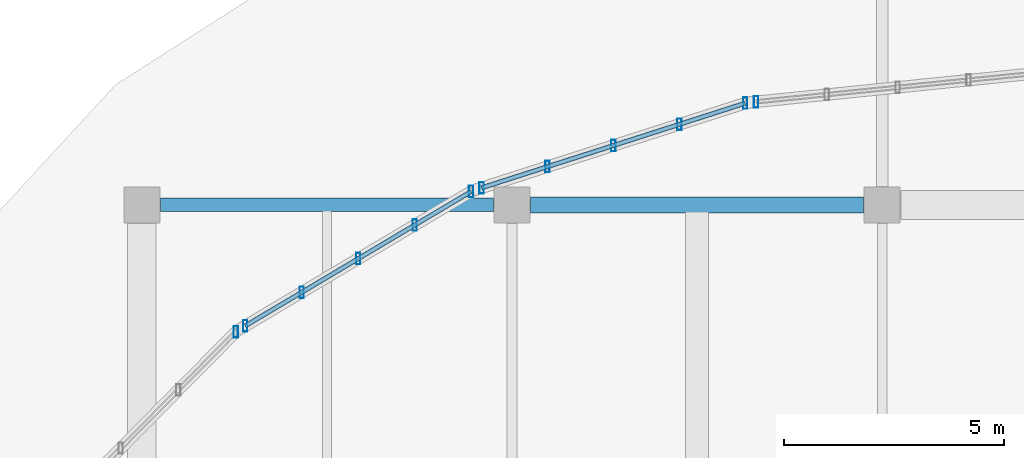
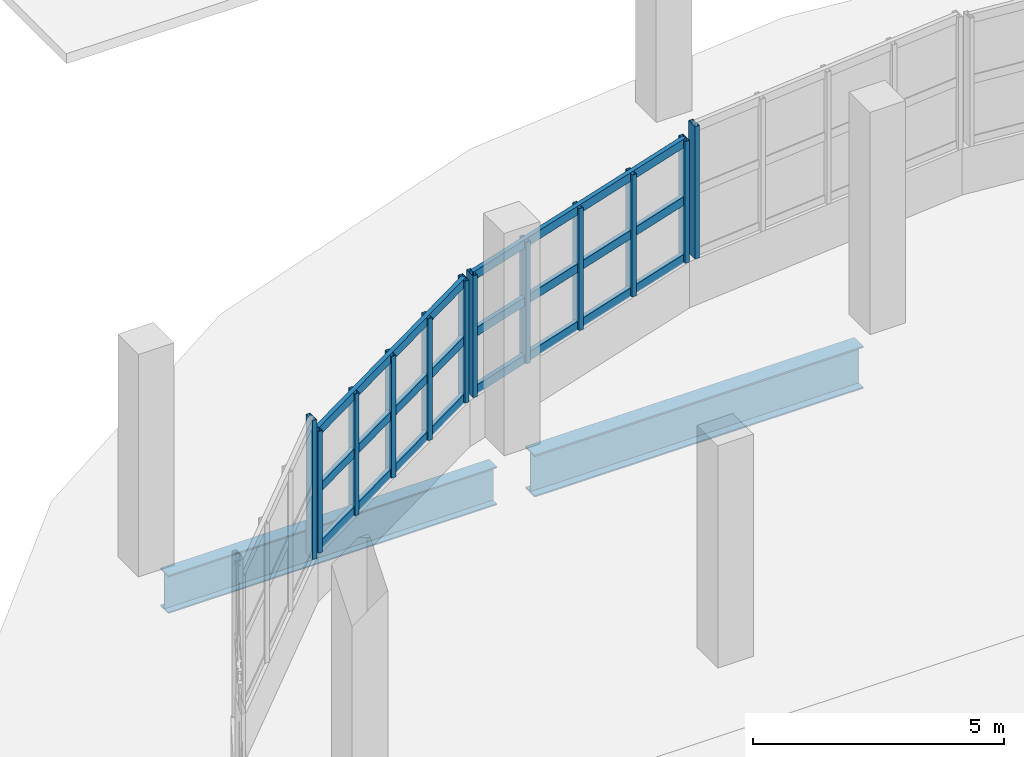
# One storey, part 11 of 107: 18 members, 2 beams, 4 elements without a shape of their own.
"""IFC4 building model written with IfcOpenShell, lengths in metres."""

from ifc_helpers import new_model, si_unit, direction, frame, origin, origin_2d, place, context, subcontext, project, spatial, hollow_rectangle, i_section, extrude, material, material_profile, profile_set, type_object, element, aggregate, save


model = new_model("IFC4")

# Units and contexts
model_context = context("Model", 3, precision=1e-05, world=origin(), true_north=direction((0.0, 1.0)))
body_context = subcontext(model_context, "Body", "Model", "MODEL_VIEW")
ifc_project = project(units=[si_unit("LENGTHUNIT", "METRE"), si_unit("AREAUNIT", "SQUARE_METRE"), si_unit("VOLUMEUNIT", "CUBIC_METRE"), si_unit("PLANEANGLEUNIT", "RADIAN"), si_unit("MASSUNIT", "GRAM", prefix="KILO")], contexts=[model_context])

# Site, building, storey
site_placement = place(None, origin())
site = spatial("IfcSite", under=ifc_project, at=site_placement, CompositionType="ELEMENT")
building_placement = place(site_placement, origin())
building = spatial("IfcBuilding", under=site, at=building_placement, Name="Solvento Point Concert Hall", CompositionType="ELEMENT")
storey_placement = place(building_placement, origin())
storey = spatial("IfcBuildingStorey", under=building, at=storey_placement, Name="L00", CompositionType="ELEMENT", Elevation=0.0)

# Beams
ifc_material_1 = material(Name="Structural Steel ASTM A992 Grade 50", Category="steel")
ifc_material_profile_1 = material_profile(ifc_material_1, i_section(OverallWidth=0.3076171875, OverallDepth=0.927001953125, WebThickness=0.019287109375, FlangeThickness=0.031982421875, at=origin_2d()), Name="W36X194")
ifc_profile_set_1 = profile_set([ifc_material_profile_1], Name="Structural Steel ASTM A992 Grade 50")
beam_type_1 = type_object("IfcBeamType", Name="Girder_W36X194", PredefinedType="USERDEFINED", material=ifc_profile_set_1)
beam_1_placement = place(storey_placement, frame((41.22412109375, 51.0, -0.87744140625), z_axis=(1.0, 0.0, 0.0), x_axis=(0.0, 1.0, 0.0)))
element("IfcBeam", 1, at=beam_1_placement, inside=storey, type_object=beam_type_1, Name="Primary girder B-61 L00", ObjectType="GIRDER", PredefinedType="USERDEFINED", context=body_context, shape_type="SweptSolid", body=[
    extrude(i_section(OverallWidth=0.3076171875, OverallDepth=0.927001953125, WebThickness=0.019287109375, FlangeThickness=0.031982421875, at=origin_2d()), origin(), (0.0, 0.0, 1.0), 7.5517578125),
])
ifc_material_2 = material(Name="Structural Steel ASTM A992 Grade 50", Category="steel")
ifc_material_profile_2 = material_profile(ifc_material_2, i_section(OverallWidth=0.361083984375, OverallDepth=1.02587890625, WebThickness=0.01904296875, FlangeThickness=0.0361328125, at=origin_2d()), Name="W40X249")
ifc_profile_set_2 = profile_set([ifc_material_profile_2], Name="Structural Steel ASTM A992 Grade 50")
beam_type_2 = type_object("IfcBeamType", Name="Girder_W40X249", PredefinedType="USERDEFINED", material=ifc_profile_set_2)
beam_2_placement = place(storey_placement, frame((49.6240234375, 51.0, -0.927001953125), z_axis=(1.0, 0.0, 0.0), x_axis=(0.0, 1.0, 0.0)))
element("IfcBeam", 2, at=beam_2_placement, inside=storey, type_object=beam_type_2, Name="Primary girder B-29 L00", ObjectType="GIRDER", PredefinedType="USERDEFINED", context=body_context, shape_type="SweptSolid", body=[
    extrude(i_section(OverallWidth=0.361083984375, OverallDepth=1.02587890625, WebThickness=0.01904296875, FlangeThickness=0.0361328125, at=origin_2d()), origin(), (0.0, 0.0, 1.0), 7.552001953125),
])

# Curtain wall, member
ifc_material_3 = material(Name="Anodized Bronze Aluminium", Category="aluminium")
curtain_wall_type = type_object("IfcCurtainWallType", Name="CurtainWall_FoyerL00", PredefinedType="USERDEFINED", material=ifc_material_3)
curtain_wall_1_placement = place(storey_placement, origin())
curtain_wall_1 = element("IfcCurtainWall", 3, at=curtain_wall_1_placement, inside=storey, type_object=curtain_wall_type, Name="Unitised curtain wall CW-29 UCW-L00-008", ObjectType="UNITISED CURTAIN WALL", PredefinedType="USERDEFINED")
ifc_material_4 = material(Name="Anodized Bronze Aluminium", Category="aluminium")
ifc_material_profile_3 = material_profile(ifc_material_4, hollow_rectangle(XDim=0.10009765625, YDim=0.260009765625, WallThickness=0.0048828125, at=origin_2d()), Name="CW-MUL-100X260")
ifc_profile_set_3 = profile_set([ifc_material_profile_3], Name="Anodized Bronze Aluminium")
member_type_1 = type_object("IfcMemberType", Name="Mullion_100x260", PredefinedType="MULLION", material=ifc_profile_set_3)
member_1_placement = place(storey_placement, frame((42.935546875, 48.120849609375, 1.1201171875), z_axis=(0.0, 0.0, 1.0), x_axis=(1.0, 0.0, 0.0)))
member_1 = element("IfcMember", 4, at=member_1_placement, type_object=member_type_1, Name="Curtain wall mullion ML-03", PredefinedType="MULLION", context=body_context, shape_type="SweptSolid", body=[
    extrude(hollow_rectangle(XDim=0.10009765625, YDim=0.260009765625, WallThickness=0.0048828125, at=origin_2d()), origin(), (0.0, 0.0, 1.0), 3.3759765625),
])
aggregate(curtain_wall_1, [member_1])

# Curtain wall, members
curtain_wall_2_placement = place(storey_placement, origin())
curtain_wall_2 = element("IfcCurtainWall", 5, at=curtain_wall_2_placement, inside=storey, type_object=curtain_wall_type, Name="Unitised curtain wall CW-29 UCW-L00-009", ObjectType="UNITISED CURTAIN WALL", PredefinedType="USERDEFINED")
member_2_placement = place(storey_placement, frame((43.145751953125, 48.254638671875, 1.1201171875), z_axis=(0.0, 0.0, 1.0), x_axis=(1.0, 0.0, 0.0)))
member_2 = element("IfcMember", 6, at=member_2_placement, type_object=member_type_1, Name="Curtain wall mullion ML-03", PredefinedType="MULLION", context=body_context, shape_type="SweptSolid", body=[
    extrude(hollow_rectangle(XDim=0.10009765625, YDim=0.260009765625, WallThickness=0.0048828125, at=origin_2d()), origin(), (0.0, 0.0, 1.0), 2.957763671875),
])
member_3_placement = place(storey_placement, frame((44.427734375, 49.01708984375, 1.1201171875), z_axis=(0.0, 0.0, 1.0), x_axis=(1.0, 0.0, 0.0)))
member_3 = element("IfcMember", 7, at=member_3_placement, type_object=member_type_1, Name="Curtain wall mullion ML-03", PredefinedType="MULLION", context=body_context, shape_type="SweptSolid", body=[
    extrude(hollow_rectangle(XDim=0.10009765625, YDim=0.260009765625, WallThickness=0.0048828125, at=origin_2d()), origin(), (0.0, 0.0, 1.0), 2.957763671875),
])
member_4_placement = place(storey_placement, frame((45.7099609375, 49.77978515625, 1.1201171875), z_axis=(0.0, 0.0, 1.0), x_axis=(1.0, 0.0, 0.0)))
member_4 = element("IfcMember", 8, at=member_4_placement, type_object=member_type_1, Name="Curtain wall mullion ML-03", PredefinedType="MULLION", context=body_context, shape_type="SweptSolid", body=[
    extrude(hollow_rectangle(XDim=0.10009765625, YDim=0.260009765625, WallThickness=0.0048828125, at=origin_2d()), origin(), (0.0, 0.0, 1.0), 2.957763671875),
])
member_5_placement = place(storey_placement, frame((46.9921875, 50.54248046875, 1.1201171875), z_axis=(0.0, 0.0, 1.0), x_axis=(1.0, 0.0, 0.0)))
member_5 = element("IfcMember", 9, at=member_5_placement, type_object=member_type_1, Name="Curtain wall mullion ML-03", PredefinedType="MULLION", context=body_context, shape_type="SweptSolid", body=[
    extrude(hollow_rectangle(XDim=0.10009765625, YDim=0.260009765625, WallThickness=0.0048828125, at=origin_2d()), origin(), (0.0, 0.0, 1.0), 2.957763671875),
])
member_6_placement = place(storey_placement, frame((48.274169921875, 51.30517578125, 1.1201171875), z_axis=(0.0, 0.0, 1.0), x_axis=(1.0, 0.0, 0.0)))
member_6 = element("IfcMember", 10, at=member_6_placement, type_object=member_type_1, Name="Curtain wall mullion ML-03", PredefinedType="MULLION", context=body_context, shape_type="SweptSolid", body=[
    extrude(hollow_rectangle(XDim=0.10009765625, YDim=0.260009765625, WallThickness=0.0048828125, at=origin_2d()), origin(), (0.0, 0.0, 1.0), 2.957763671875),
])

curtain_wall_3_placement = place(storey_placement, origin())
curtain_wall_3 = element("IfcCurtainWall", 11, at=curtain_wall_3_placement, inside=storey, type_object=curtain_wall_type, Name="Unitised curtain wall CW-29 UCW-L00-010", ObjectType="UNITISED CURTAIN WALL", PredefinedType="USERDEFINED")
member_7_placement = place(storey_placement, frame((48.509521484375, 51.3876953125, 1.1201171875), z_axis=(0.0, 0.0, 1.0), x_axis=(1.0, 0.0, 0.0)))
member_7 = element("IfcMember", 12, at=member_7_placement, type_object=member_type_1, Name="Curtain wall mullion ML-03", PredefinedType="MULLION", context=body_context, shape_type="SweptSolid", body=[
    extrude(hollow_rectangle(XDim=0.10009765625, YDim=0.260009765625, WallThickness=0.0048828125, at=origin_2d()), origin(), (0.0, 0.0, 1.0), 2.957763671875),
])
member_8_placement = place(storey_placement, frame((50.005615234375, 51.8681640625, 1.1201171875), z_axis=(0.0, 0.0, 1.0), x_axis=(1.0, 0.0, 0.0)))
member_8 = element("IfcMember", 13, at=member_8_placement, type_object=member_type_1, Name="Curtain wall mullion ML-03", PredefinedType="MULLION", context=body_context, shape_type="SweptSolid", body=[
    extrude(hollow_rectangle(XDim=0.10009765625, YDim=0.260009765625, WallThickness=0.0048828125, at=origin_2d()), origin(), (0.0, 0.0, 1.0), 2.957763671875),
])
member_9_placement = place(storey_placement, frame((51.501708984375, 52.348388671875, 1.1201171875), z_axis=(0.0, 0.0, 1.0), x_axis=(1.0, 0.0, 0.0)))
member_9 = element("IfcMember", 14, at=member_9_placement, type_object=member_type_1, Name="Curtain wall mullion ML-03", PredefinedType="MULLION", context=body_context, shape_type="SweptSolid", body=[
    extrude(hollow_rectangle(XDim=0.10009765625, YDim=0.260009765625, WallThickness=0.0048828125, at=origin_2d()), origin(), (0.0, 0.0, 1.0), 2.957763671875),
])
member_10_placement = place(storey_placement, frame((52.997802734375, 52.828857421875, 1.1201171875), z_axis=(0.0, 0.0, 1.0), x_axis=(1.0, 0.0, 0.0)))
member_10 = element("IfcMember", 15, at=member_10_placement, type_object=member_type_1, Name="Curtain wall mullion ML-03", PredefinedType="MULLION", context=body_context, shape_type="SweptSolid", body=[
    extrude(hollow_rectangle(XDim=0.10009765625, YDim=0.260009765625, WallThickness=0.0048828125, at=origin_2d()), origin(), (0.0, 0.0, 1.0), 2.957763671875),
])
member_11_placement = place(storey_placement, frame((54.493896484375, 53.309326171875, 1.1201171875), z_axis=(0.0, 0.0, 1.0), x_axis=(1.0, 0.0, 0.0)))
member_11 = element("IfcMember", 16, at=member_11_placement, type_object=member_type_1, Name="Curtain wall mullion ML-03", PredefinedType="MULLION", context=body_context, shape_type="SweptSolid", body=[
    extrude(hollow_rectangle(XDim=0.10009765625, YDim=0.260009765625, WallThickness=0.0048828125, at=origin_2d()), origin(), (0.0, 0.0, 1.0), 2.957763671875),
])

# Curtain wall, member
curtain_wall_4_placement = place(storey_placement, origin())
curtain_wall_4 = element("IfcCurtainWall", 17, at=curtain_wall_4_placement, inside=storey, type_object=curtain_wall_type, Name="Unitised curtain wall CW-29 UCW-L00-011", ObjectType="UNITISED CURTAIN WALL", PredefinedType="USERDEFINED")
member_12_placement = place(storey_placement, frame((54.741455078125, 53.3408203125, 1.1201171875), z_axis=(0.0, 0.0, 1.0), x_axis=(1.0, 0.0, 0.0)))
member_12 = element("IfcMember", 18, at=member_12_placement, type_object=member_type_1, Name="Curtain wall mullion ML-03", PredefinedType="MULLION", context=body_context, shape_type="SweptSolid", body=[
    extrude(hollow_rectangle(XDim=0.10009765625, YDim=0.260009765625, WallThickness=0.0048828125, at=origin_2d()), origin(), (0.0, 0.0, 1.0), 3.2138671875),
])
aggregate(curtain_wall_4, [member_12])

# Member
ifc_material_5 = material(Name="Anodized Bronze Aluminium", Category="aluminium")
ifc_material_profile_4 = material_profile(ifc_material_5, hollow_rectangle(XDim=0.10009765625, YDim=0.2099609375, WallThickness=0.0048828125, at=origin_2d()), Name="CW-TRN-100X210")
ifc_profile_set_4 = profile_set([ifc_material_profile_4], Name="Anodized Bronze Aluminium")
member_type_2 = type_object("IfcMemberType", Name="Transom_100x210", PredefinedType="USERDEFINED", material=ifc_profile_set_4)
member_13_placement = place(storey_placement, frame((43.145751953125, 48.254638671875, 1.199951171875), z_axis=(0.859446980685, 0.511224889253, 0.0), x_axis=(-0.511224889253, 0.859446980685, 0.0)))
member_13 = element("IfcMember", 19, at=member_13_placement, type_object=member_type_2, Name="Curtain wall transom TR-03", ObjectType="TRANSOM", PredefinedType="USERDEFINED", context=body_context, shape_type="SweptSolid", body=[
    extrude(hollow_rectangle(XDim=0.10009765625, YDim=0.2099609375, WallThickness=0.0048828125, at=origin_2d()), origin(), (0.0, 0.0, 1.0), 5.967041015625),
])

member_14_placement = place(storey_placement, frame((43.145751953125, 48.254638671875, 2.59912109375), z_axis=(0.859446980685, 0.511224889253, 0.0), x_axis=(-0.511224889253, 0.859446980685, 0.0)))
member_14 = element("IfcMember", 20, at=member_14_placement, type_object=member_type_2, Name="Curtain wall transom TR-03", ObjectType="TRANSOM", PredefinedType="USERDEFINED", context=body_context, shape_type="SweptSolid", body=[
    extrude(hollow_rectangle(XDim=0.10009765625, YDim=0.2099609375, WallThickness=0.0048828125, at=origin_2d()), origin(), (0.0, 0.0, 1.0), 5.967041015625),
])

member_15_placement = place(storey_placement, frame((43.145751953125, 48.254638671875, 3.998046875), z_axis=(0.859446980685, 0.511224889253, 0.0), x_axis=(-0.511224889253, 0.859446980685, 0.0)))
member_15 = element("IfcMember", 21, at=member_15_placement, type_object=member_type_2, Name="Curtain wall transom TR-03", ObjectType="TRANSOM", PredefinedType="USERDEFINED", context=body_context, shape_type="SweptSolid", body=[
    extrude(hollow_rectangle(XDim=0.10009765625, YDim=0.2099609375, WallThickness=0.0048828125, at=origin_2d()), origin(), (0.0, 0.0, 1.0), 5.967041015625),
])

aggregate(curtain_wall_2, [member_2, member_3, member_4, member_5, member_6, member_13, member_14, member_15])

member_16_placement = place(storey_placement, frame((48.509521484375, 51.3876953125, 1.199951171875), z_axis=(0.952117433196, 0.305732552084, 0.0), x_axis=(-0.305732552084, 0.952117433196, 0.0)))
member_16 = element("IfcMember", 22, at=member_16_placement, type_object=member_type_2, Name="Curtain wall transom TR-03", ObjectType="TRANSOM", PredefinedType="USERDEFINED", context=body_context, shape_type="SweptSolid", body=[
    extrude(hollow_rectangle(XDim=0.10009765625, YDim=0.2099609375, WallThickness=0.0048828125, at=origin_2d()), origin(), (0.0, 0.0, 1.0), 6.285400390625),
])

member_17_placement = place(storey_placement, frame((48.509521484375, 51.3876953125, 2.59912109375), z_axis=(0.952117433196, 0.305732552084, 0.0), x_axis=(-0.305732552084, 0.952117433196, 0.0)))
member_17 = element("IfcMember", 23, at=member_17_placement, type_object=member_type_2, Name="Curtain wall transom TR-03", ObjectType="TRANSOM", PredefinedType="USERDEFINED", context=body_context, shape_type="SweptSolid", body=[
    extrude(hollow_rectangle(XDim=0.10009765625, YDim=0.2099609375, WallThickness=0.0048828125, at=origin_2d()), origin(), (0.0, 0.0, 1.0), 6.285400390625),
])

member_18_placement = place(storey_placement, frame((48.509521484375, 51.3876953125, 3.998046875), z_axis=(0.952117433196, 0.305732552084, 0.0), x_axis=(-0.305732552084, 0.952117433196, 0.0)))
member_18 = element("IfcMember", 24, at=member_18_placement, type_object=member_type_2, Name="Curtain wall transom TR-03", ObjectType="TRANSOM", PredefinedType="USERDEFINED", context=body_context, shape_type="SweptSolid", body=[
    extrude(hollow_rectangle(XDim=0.10009765625, YDim=0.2099609375, WallThickness=0.0048828125, at=origin_2d()), origin(), (0.0, 0.0, 1.0), 6.285400390625),
])

aggregate(curtain_wall_3, [member_7, member_8, member_9, member_10, member_11, member_16, member_17, member_18])

save(model, "model.ifc")
